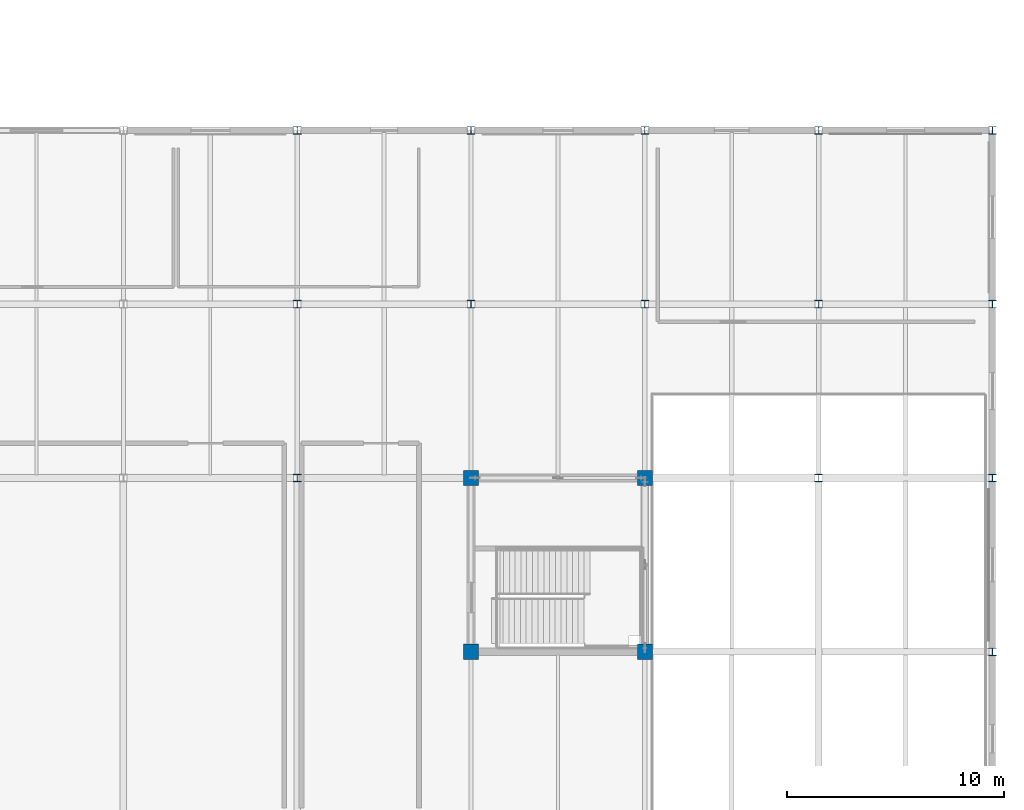
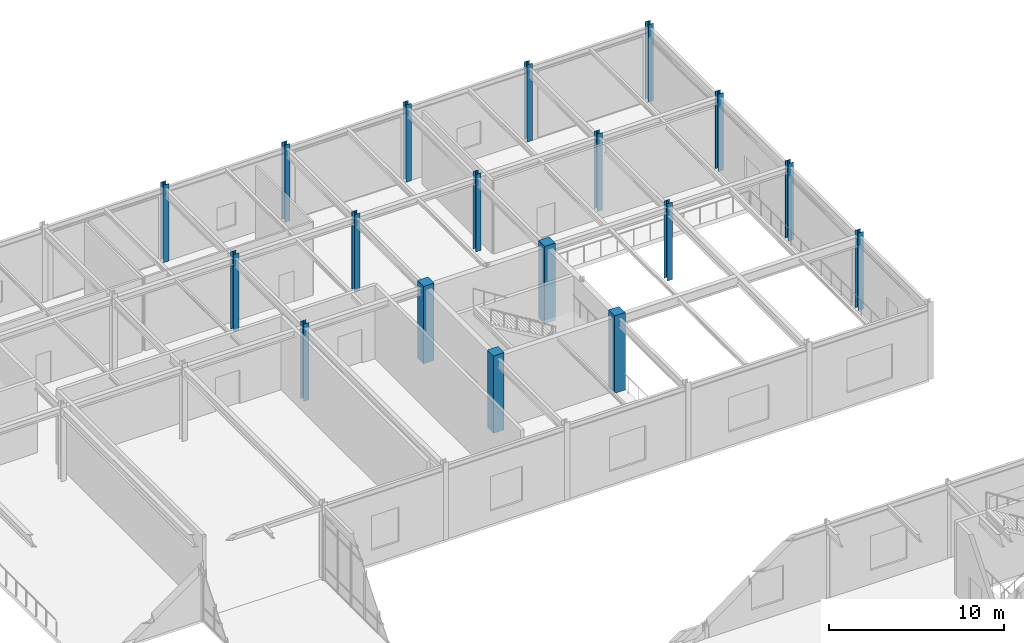
# One storey, part 24 of 184: 18 columns.
"""IFC4 building model written with IfcOpenShell, lengths in metres."""

from ifc_helpers import new_model, si_unit, direction, frame, origin, origin_2d, place, context, subcontext, project, spatial, rectangle, i_section, extrude, material, material_profile, profile_set, type_object, element, save


model = new_model("IFC4")

# Units and contexts
model_context = context("Model", 3, precision=1e-05, world=origin(), true_north=direction((0.0, 1.0)))
body_context = subcontext(model_context, "Body", "Model", "MODEL_VIEW")
ifc_project = project(units=[si_unit("LENGTHUNIT", "METRE"), si_unit("AREAUNIT", "SQUARE_METRE"), si_unit("VOLUMEUNIT", "CUBIC_METRE"), si_unit("PLANEANGLEUNIT", "RADIAN"), si_unit("MASSUNIT", "GRAM", prefix="KILO")], contexts=[model_context])

# Site, building, storey
site_placement = place(None, origin())
site = spatial("IfcSite", under=ifc_project, at=site_placement, CompositionType="ELEMENT")
building_placement = place(site_placement, origin())
building = spatial("IfcBuilding", under=site, at=building_placement, Name="Zhaolan Boulevard Law Courts", CompositionType="ELEMENT")
storey_placement = place(building_placement, frame((0.0, 0.0, 5.39990234375)))
storey = spatial("IfcBuildingStorey", under=building, at=storey_placement, Name="L01", CompositionType="ELEMENT", Elevation=5.39990234375)

# Columns
ifc_material_1 = material(Name="Structural steel Q355B", Category="steel")
ifc_material_profile_1 = material_profile(ifc_material_1, i_section(OverallWidth=0.35009765625, OverallDepth=0.35009765625, WebThickness=0.011962890625, FlangeThickness=0.01904296875, FilletRadius=0.02001953125, at=origin_2d()), Name="HW350x350")
ifc_profile_set_1 = profile_set([ifc_material_profile_1], Name="Structural steel Q355B")
column_type_1 = type_object("IfcColumnType", Name="COL HW350", PredefinedType="COLUMN", material=ifc_profile_set_1)
for number, where, z_axis, x_axis, name in (
    (1, (132.0, 78.0, 0.0), (0.0, 0.0, 1.0), (1.0, 0.0, 0.0), "Column C-17L (L01)"),
    (2, (132.0, 86.0, 0.0), (0.0, 0.0, 1.0), (1.0, 0.0, 0.0), "Column C-17M (L01)"),
    (3, (132.0, 94.0, 0.0), (0.0, 0.0, 1.0), (1.0, 0.0, 0.0), "Column C-17N (L01)"),
    (4, (140.0, 86.0, 0.0), (0.0, 0.0, 1.0), (1.0, 0.0, 0.0), "Column C-18M (L01)"),
    (5, (140.0, 94.0, 0.0), (0.0, 0.0, 1.0), (1.0, 0.0, 0.0), "Column C-18N (L01)"),
    (6, (148.0, 86.0, 0.0), (0.0, 0.0, 1.0), (1.0, 0.0, 0.0), "Column C-19M (L01)"),
    (7, (148.0, 94.0, 0.0), (0.0, 0.0, 1.0), (1.0, 0.0, 0.0), "Column C-19N (L01)"),
    (8, (156.0, 78.0, 0.0), (0.0, 0.0, 1.0), (1.0, 0.0, 0.0), "Column C-20L (L01)"),
    (9, (156.0, 86.0, 0.0), (0.0, 0.0, 1.0), (1.0, 0.0, 0.0), "Column C-20M (L01)"),
    (10, (156.0, 94.0, 0.0), (0.0, 0.0, 1.0), (1.0, 0.0, 0.0), "Column C-20N (L01)"),
    (11, (164.0, 70.0, 0.0), (0.0, 0.0, 1.0), (1.0, 0.0, 0.0), "Column C-21K (L01)"),
    (12, (164.0, 78.0, 0.0), (0.0, 0.0, 1.0), (1.0, 0.0, 0.0), "Column C-21L (L01)"),
    (13, (164.0, 86.0, 0.0), (0.0, 0.0, 1.0), (1.0, 0.0, 0.0), "Column C-21M (L01)"),
    (14, (164.0, 94.0, 0.0), (0.0, 0.0, 1.0), (1.0, 0.0, 0.0), "Column C-21N (L01)"),
):
    element("IfcColumn", number, at=place(storey_placement, frame(where, z_axis=z_axis, x_axis=x_axis)), inside=storey, type_object=column_type_1, Name=name, PredefinedType="COLUMN", context=body_context, shape_type="SweptSolid", body=[
        extrude(i_section(OverallWidth=0.35009765625, OverallDepth=0.35009765625, WebThickness=0.011962890625, FlangeThickness=0.01904296875, FilletRadius=0.02001953125, at=origin_2d()), origin(), (0.0, 0.0, 1.0), 5.400146484375),
    ])
ifc_material_2 = material(Name="Concrete C50", Category="concrete")
ifc_material_profile_2 = material_profile(ifc_material_2, rectangle(XDim=0.699951171875, YDim=0.699951171875, at=origin_2d()), Name="RC700x700")
ifc_profile_set_2 = profile_set([ifc_material_profile_2], Name="Concrete C50")
column_type_2 = type_object("IfcColumnType", Name="COL RC700", PredefinedType="COLUMN", material=ifc_profile_set_2)
for number, where, z_axis, x_axis, name in (
    (15, (140.0, 70.0, 0.0), (0.0, 0.0, 1.0), (1.0, 0.0, 0.0), "Column C-18K (L01)"),
    (16, (140.0, 78.0, 0.0), (0.0, 0.0, 1.0), (1.0, 0.0, 0.0), "Column C-18L (L01)"),
    (17, (148.0, 70.0, 0.0), (0.0, 0.0, 1.0), (1.0, 0.0, 0.0), "Column C-19K (L01)"),
    (18, (148.0, 78.0, 0.0), (0.0, 0.0, 1.0), (1.0, 0.0, 0.0), "Column C-19L (L01)"),
):
    element("IfcColumn", number, at=place(storey_placement, frame(where, z_axis=z_axis, x_axis=x_axis)), inside=storey, type_object=column_type_2, Name=name, PredefinedType="COLUMN", context=body_context, shape_type="SweptSolid", body=[
        extrude(rectangle(XDim=0.699951171875, YDim=0.699951171875, at=origin_2d()), origin(), (0.0, 0.0, 1.0), 5.400146484375),
    ])

save(model, "model.ifc")
